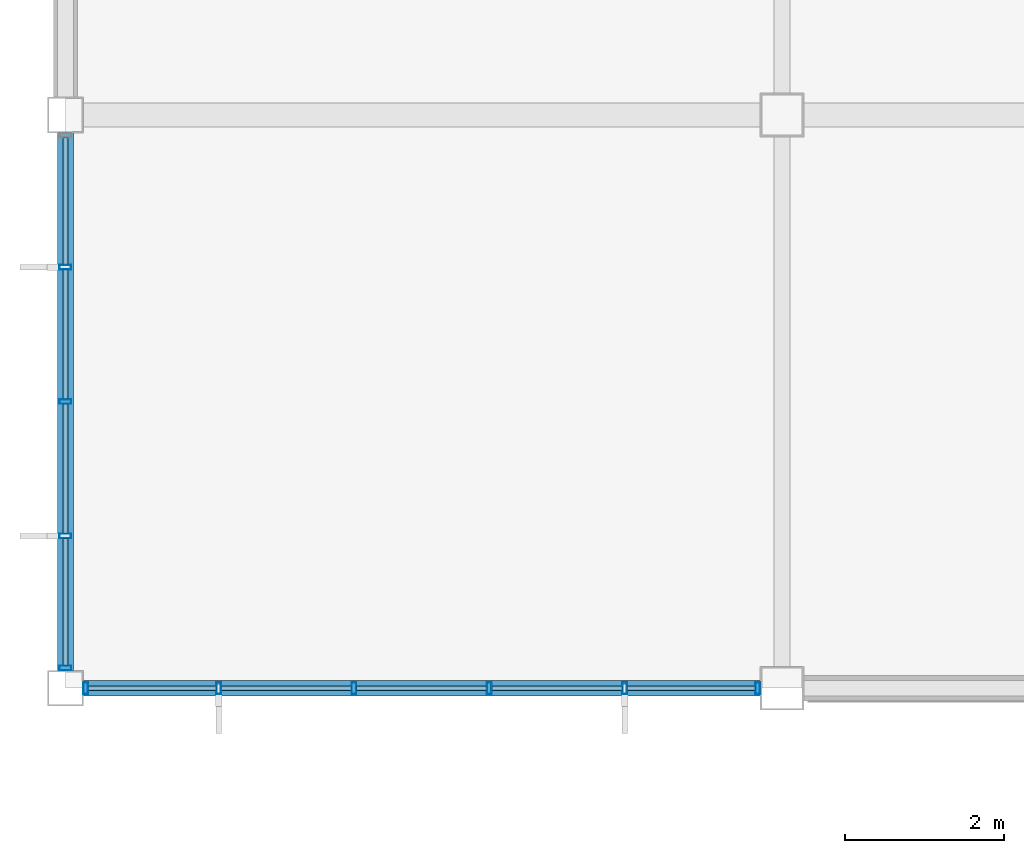
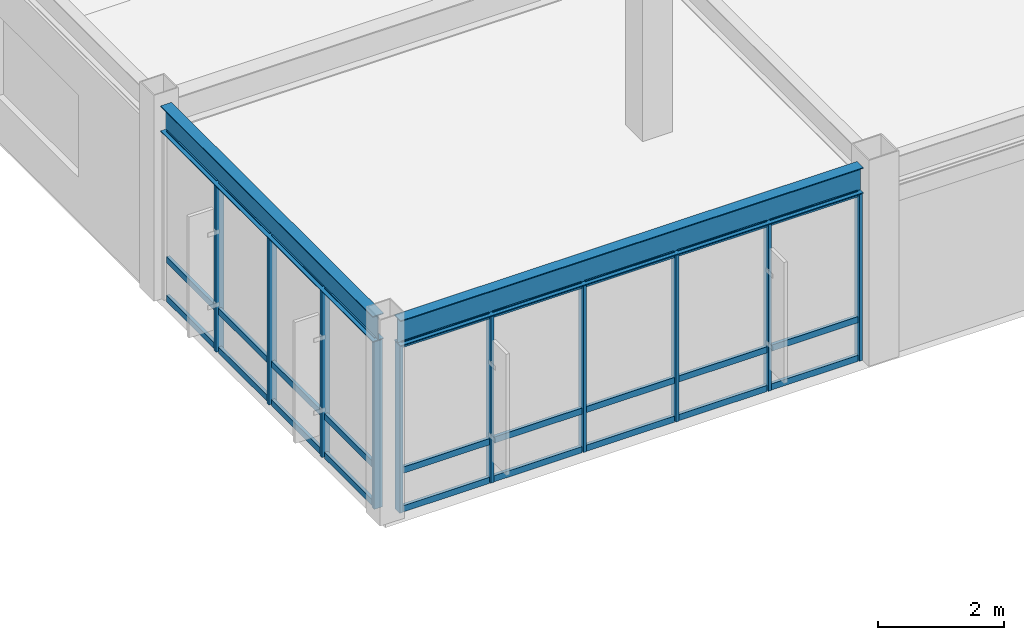
# One storey, part 25 of 122: 37 members, 2 beams, 2 elements without a shape of their own.
"""IFC4 building model written with IfcOpenShell, lengths in metres."""

import ifcopenshell
import ifcopenshell.guid

model = None  # the IFC model being written
_history = None  # IfcOwnerHistory: only IFC2X3 demands one
_inside = {}  # id of a spatial element -> (the spatial element, [elements in it])
_under = {}  # id of a project, library or spatial element -> (it, [spatial elements below it])
_declared = {}  # id of a project -> (the project, [libraries it declares])
_typed = {}  # id of a type object -> (the type object, [elements of that type])
_made_of = {}  # id of a material, layer set ... -> (it, [elements and type objects made of it])


def new_model(schema):
    """Start an empty IFC model of exactly this schema.

    Asked for "IFC4X3", IfcOpenShell would pick the latest addendum, in which some entities
    have other attributes; the version numbers below select the first issue.
    IFC2X3 requires an IfcOwnerHistory on every rooted entity: one is made here for all.
    """
    global model, _history
    if schema == "IFC4X3":
        model = ifcopenshell.file(schema_version=(4, 3, 0, 0))
    else:
        model = ifcopenshell.file(schema=schema)
    _inside.clear()
    _under.clear()
    _declared.clear()
    _typed.clear()
    _made_of.clear()
    _history = None
    if model.schema == "IFC2X3":
        org = make("IfcOrganization", Name="unknown")
        user = make(
            "IfcPersonAndOrganization",
            ThePerson=make("IfcPerson", FamilyName="unknown"),
            TheOrganization=org,
        )
        app = make(
            "IfcApplication",
            ApplicationDeveloper=org,
            Version="unknown",
            ApplicationFullName="unknown",
            ApplicationIdentifier="unknown",
        )
        _history = make(
            "IfcOwnerHistory",
            OwningUser=user,
            OwningApplication=app,
            ChangeAction="ADDED",
            CreationDate=0,
        )
    return model


def make(cls, **values):
    """One entity of the class cls with the attributes given. An attribute that is None is left unset."""
    return model.create_entity(
        cls, **{name: value for name, value in values.items() if value is not None}
    )


def rooted(cls, **values):
    """An entity with a GlobalId (a new one), such as an element, a storey or a relation."""
    return make(cls, GlobalId=ifcopenshell.guid.new(), OwnerHistory=_history, **values)


def si_unit(unit_type, name, prefix=None):
    """IfcSIUnit, for example si_unit("LENGTHUNIT", "METRE", prefix="MILLI")."""
    return make("IfcSIUnit", UnitType=unit_type, Prefix=prefix, Name=name)


def assignment(units):
    """IfcUnitAssignment: the units of a project."""
    return None if units is None else make("IfcUnitAssignment", Units=units)


def point(xyz):
    """IfcCartesianPoint."""
    return None if xyz is None else make("IfcCartesianPoint", Coordinates=xyz)


def direction(xyz):
    """IfcDirection."""
    return None if xyz is None else make("IfcDirection", DirectionRatios=xyz)


def frame(location, z_axis=None, x_axis=None):
    """IfcAxis2Placement3D, a coordinate frame: its origin and axes. An axis left out is left unset."""
    return make(
        "IfcAxis2Placement3D",
        Location=point(location),
        Axis=direction(z_axis),
        RefDirection=direction(x_axis),
    )


def frame_2d(location, x_axis=None):
    """IfcAxis2Placement2D, a coordinate frame in the plane: its origin and x axis."""
    return make(
        "IfcAxis2Placement2D", Location=point(location), RefDirection=direction(x_axis)
    )


def origin():
    """The frame at (0, 0, 0) with its axes left unset."""
    return frame((0.0, 0.0, 0.0))


def origin_2d():
    """The frame at (0, 0) in the plane with its x axis left unset."""
    return frame_2d((0.0, 0.0))


def place(relative_to, where):
    """IfcLocalPlacement: puts the frame where relative to a parent placement (None: the world)."""
    return make(
        "IfcLocalPlacement", PlacementRelTo=relative_to, RelativePlacement=where
    )


def context(
    kind, dimensions, precision=None, world=None, true_north=None, identifier=None
):
    """IfcGeometricRepresentationContext, for example the 3D "Model" context."""
    return make(
        "IfcGeometricRepresentationContext",
        ContextIdentifier=identifier,
        ContextType=kind,
        CoordinateSpaceDimension=dimensions,
        Precision=precision,
        WorldCoordinateSystem=world,
        TrueNorth=true_north,
    )


def subcontext(parent, identifier, kind, view, scale=None):
    """IfcGeometricRepresentationSubContext, for example "Body" below "Model"."""
    return make(
        "IfcGeometricRepresentationSubContext",
        ContextIdentifier=identifier,
        ContextType=kind,
        ParentContext=parent,
        TargetScale=scale,
        TargetView=view,
    )


def project(units=None, contexts=None):
    """IfcProject with its units and contexts."""
    return rooted(
        "IfcProject",
        Name="project",
        RepresentationContexts=contexts,
        UnitsInContext=assignment(units),
    )


def spatial(cls, under=None, at=None, **own):
    """A site, building, storey or space (cls), placed at a placement, below another one or the project."""
    s = rooted(cls, ObjectPlacement=at, **own)
    if under is not None:
        _under.setdefault(under.id(), (under, []))[1].append(s)
    return s


def profile(cls, at=None, kind="AREA", **sizes):
    """A parametric profile (cls). Its sizes go by their IFC names, for example OverallWidth=200.0."""
    return make(cls, ProfileType=kind, Position=at, **sizes)


def hollow_rectangle(**sizes):
    """IfcRectangleHollowProfileDef."""
    return profile("IfcRectangleHollowProfileDef", **sizes)


def i_section(**sizes):
    """IfcIShapeProfileDef."""
    return profile("IfcIShapeProfileDef", **sizes)


def extrude(swept, where, along, depth):
    """IfcExtrudedAreaSolid: the profile swept, set in the frame where, extruded along a direction by depth."""
    return make(
        "IfcExtrudedAreaSolid",
        SweptArea=swept,
        Position=where,
        ExtrudedDirection=direction(along),
        Depth=depth,
    )


def shape(context_of_items, identifier, shape_type, items):
    """IfcShapeRepresentation: the items that make up one representation, for example the "Body"."""
    return make(
        "IfcShapeRepresentation",
        ContextOfItems=context_of_items,
        RepresentationIdentifier=identifier,
        RepresentationType=shape_type,
        Items=items,
    )


def material(Name=None, Category=None):
    """IfcMaterial."""
    return make("IfcMaterial", Name=Name, Category=Category)


def material_profile(
    of_material, cross_section, Name=None, Category=None, Priority=None
):
    """IfcMaterialProfile: a cross section and its material."""
    return make(
        "IfcMaterialProfile",
        Name=Name,
        Material=of_material,
        Profile=cross_section,
        Priority=Priority,
        Category=Category,
    )


def profile_set(profiles, Name=None, composite=None):
    """IfcMaterialProfileSet."""
    return make(
        "IfcMaterialProfileSet",
        Name=Name,
        MaterialProfiles=profiles,
        CompositeProfile=composite,
    )


def made_of(thing, what):
    """Note that an element or type object is made of a material, layer set ...; save() writes the relation."""
    if what is not None:
        _made_of.setdefault(what.id(), (what, []))[1].append(thing)
    return thing


def type_object(cls, material=None, **own):
    """A type object (cls), such as IfcWallType, which elements share."""
    return made_of(rooted(cls, **own), material)


def element(
    cls,
    number,
    at=None,
    inside=None,
    cuts=None,
    type_object=None,
    material=None,
    context=None,
    identifier="Body",
    shape_type=None,
    held_by="IfcProductDefinitionShape",
    body=None,
    shapes=None,
    **own,
):
    """One element of the class cls, such as IfcWall. Its Tag is "e" and its number.

    at: its placement. inside: the storey or other place that contains it. cuts: it is an
    opening in that element (IfcRelVoidsElement). A single representation is given by context,
    identifier, shape_type and body (its items); several are given by shapes. held_by: the class
    of the entity that holds the representations. save() writes the other relations.
    """
    e = rooted(cls, Tag="e%d" % number, ObjectPlacement=at, **own)
    if body is not None:
        shapes = [shape(context, identifier, shape_type, body)]
    if shapes is not None:
        e.Representation = make(held_by, Representations=shapes)
    if inside is not None:
        _inside.setdefault(inside.id(), (inside, []))[1].append(e)
    if cuts is not None:
        rooted(
            "IfcRelVoidsElement", RelatingBuildingElement=cuts, RelatedOpeningElement=e
        )
    if type_object is not None:
        _typed.setdefault(type_object.id(), (type_object, []))[1].append(e)
    return made_of(e, material)


def aggregate(whole, parts):
    """IfcRelAggregates: a whole, such as a stair, and the parts it consists of."""
    return rooted("IfcRelAggregates", RelatingObject=whole, RelatedObjects=parts)


def save(model, path):
    """Write the relations noted so far, then the file.

    IfcRelAggregates (storeys below a building ...), IfcRelContainedInSpatialStructure (elements
    in a storey), IfcRelDefinesByType, IfcRelAssociatesMaterial and IfcRelDeclares: one each for
    every whole, place, type object, material and project.
    """
    for whole, parts in _under.values():
        aggregate(whole, parts)
    for where, things in _inside.values():
        rooted(
            "IfcRelContainedInSpatialStructure",
            RelatedElements=things,
            RelatingStructure=where,
        )
    for kind, things in _typed.values():
        rooted("IfcRelDefinesByType", RelatedObjects=things, RelatingType=kind)
    for what, things in _made_of.values():
        rooted("IfcRelAssociatesMaterial", RelatedObjects=things, RelatingMaterial=what)
    for by, libraries in _declared.values():
        rooted("IfcRelDeclares", RelatingContext=by, RelatedDefinitions=libraries)
    model.write(path)


model = new_model("IFC4")

# Units and contexts
model_context = context("Model", 3, precision=1e-05, world=origin(), true_north=direction((0.0, 1.0)))
body_context = subcontext(model_context, "Body", "Model", "MODEL_VIEW")
ifc_project = project(units=[si_unit("LENGTHUNIT", "METRE"), si_unit("AREAUNIT", "SQUARE_METRE"), si_unit("VOLUMEUNIT", "CUBIC_METRE"), si_unit("PLANEANGLEUNIT", "RADIAN"), si_unit("MASSUNIT", "GRAM", prefix="KILO")], contexts=[model_context])

# Site, building, storey
site_placement = place(None, origin())
site = spatial("IfcSite", under=ifc_project, at=site_placement, CompositionType="ELEMENT")
building_placement = place(site_placement, origin())
building = spatial("IfcBuilding", under=site, at=building_placement, Name="Kazanami Central Library", CompositionType="ELEMENT")
storey_placement = place(building_placement, frame((0.0, 0.0, 4.800048828125)))
storey = spatial("IfcBuildingStorey", under=building, at=storey_placement, Name="L02", CompositionType="ELEMENT", Elevation=4.800048828125)

# Beams
ifc_material_1 = material(Name="Steel SN490B (325 MPa)", Category="steel")
ifc_material_profile_1 = material_profile(ifc_material_1, i_section(OverallWidth=0.199951171875, OverallDepth=0.5, WebThickness=0.010009765625, FlangeThickness=0.01611328125, at=origin_2d()), Name="H-500x200x10x16")
ifc_profile_set_1 = profile_set([ifc_material_profile_1], Name="Steel SN490B (325 MPa)")
beam_type = type_object("IfcBeamType", Name="BM-SP-1", PredefinedType="SPANDREL", material=ifc_profile_set_1)
beam_1_placement = place(storey_placement, frame((0.222900390625, 57.60009765625, 3.5048828125), z_axis=(1.0, 0.0, 0.0), x_axis=(0.0, 1.0, 0.0)))
element("IfcBeam", 1, at=beam_1_placement, inside=storey, type_object=beam_type, Name="Girder SP-1 L02 J/1-2", PredefinedType="SPANDREL", context=body_context, shape_type="SweptSolid", body=[
    extrude(i_section(OverallWidth=0.199951171875, OverallDepth=0.5, WebThickness=0.010009765625, FlangeThickness=0.01611328125, at=origin_2d()), origin(), (0.0, 0.0, 1.0), 8.504150390625),
])
beam_2_placement = place(storey_placement, frame((0.0, 57.822998046875, 3.5048828125), z_axis=(0.0, 1.0, 0.0), x_axis=(-1.0, 0.0, 0.0)))
element("IfcBeam", 2, at=beam_2_placement, inside=storey, type_object=beam_type, Name="Girder SP-1 L02 1/J-K", PredefinedType="SPANDREL", context=body_context, shape_type="SweptSolid", body=[
    extrude(i_section(OverallWidth=0.199951171875, OverallDepth=0.5, WebThickness=0.010009765625, FlangeThickness=0.01611328125, at=origin_2d()), origin(), (0.0, 0.0, 1.0), 6.75390625),
])

# Curtain wall, members
ifc_material_2 = material(Name="Acid-Etched Low-E Laminated Glass", Category="glass")
curtain_wall_type_1 = type_object("IfcCurtainWallType", Name="CW-8500x3255-M180", PredefinedType="USERDEFINED", material=ifc_material_2)
curtain_wall_1_placement = place(storey_placement, origin())
curtain_wall_1 = element("IfcCurtainWall", 3, at=curtain_wall_1_placement, inside=storey, type_object=curtain_wall_type_1, Name="Unitised Curtain Wall CW-16 L02 S-J-00", ObjectType="UNITISED CURTAIN WALL", PredefinedType="USERDEFINED")
ifc_material_3 = material(Name="Anodised Aluminium A6063-T5", Category="aluminium")
ifc_material_profile_2 = material_profile(ifc_material_3, hollow_rectangle(XDim=0.06005859375, YDim=0.14990234375, WallThickness=0.00390625, at=origin_2d()), Name="ALU-MULL-60x150x4")
ifc_profile_set_2 = profile_set([ifc_material_profile_2], Name="Anodised Aluminium A6063-T5")
member_type_1 = type_object("IfcMemberType", Name="MEM-CW-M3", PredefinedType="MULLION", material=ifc_profile_set_2)
member_1_placement = place(storey_placement, frame((0.2548828125, 57.60009765625, 0.0), z_axis=(0.0, 0.0, 1.0), x_axis=(1.0, 0.0, 0.0)))
member_1 = element("IfcMember", 4, at=member_1_placement, type_object=member_type_1, Name="CW-16 mullion 1", PredefinedType="MULLION", context=body_context, shape_type="SweptSolid", body=[
    extrude(hollow_rectangle(XDim=0.06005859375, YDim=0.14990234375, WallThickness=0.00390625, at=origin_2d()), origin(), (0.0, 0.0, 1.0), 3.2548828125),
])
member_2_placement = place(storey_placement, frame((1.925048828125, 57.60009765625, 0.0), z_axis=(0.0, 0.0, 1.0), x_axis=(1.0, 0.0, 0.0)))
member_2 = element("IfcMember", 5, at=member_2_placement, type_object=member_type_1, Name="CW-16 mullion 2", PredefinedType="MULLION", context=body_context, shape_type="SweptSolid", body=[
    extrude(hollow_rectangle(XDim=0.06005859375, YDim=0.14990234375, WallThickness=0.00390625, at=origin_2d()), origin(), (0.0, 0.0, 1.0), 3.2548828125),
])
member_3_placement = place(storey_placement, frame((3.625, 57.60009765625, 0.0), z_axis=(0.0, 0.0, 1.0), x_axis=(1.0, 0.0, 0.0)))
member_3 = element("IfcMember", 6, at=member_3_placement, type_object=member_type_1, Name="CW-16 mullion 3", PredefinedType="MULLION", context=body_context, shape_type="SweptSolid", body=[
    extrude(hollow_rectangle(XDim=0.06005859375, YDim=0.14990234375, WallThickness=0.00390625, at=origin_2d()), origin(), (0.0, 0.0, 1.0), 3.2548828125),
])
member_4_placement = place(storey_placement, frame((5.324951171875, 57.60009765625, 0.0), z_axis=(0.0, 0.0, 1.0), x_axis=(1.0, 0.0, 0.0)))
member_4 = element("IfcMember", 7, at=member_4_placement, type_object=member_type_1, Name="CW-16 mullion 4", PredefinedType="MULLION", context=body_context, shape_type="SweptSolid", body=[
    extrude(hollow_rectangle(XDim=0.06005859375, YDim=0.14990234375, WallThickness=0.00390625, at=origin_2d()), origin(), (0.0, 0.0, 1.0), 3.2548828125),
])
member_5_placement = place(storey_placement, frame((7.02490234375, 57.60009765625, 0.0), z_axis=(0.0, 0.0, 1.0), x_axis=(1.0, 0.0, 0.0)))
member_5 = element("IfcMember", 8, at=member_5_placement, type_object=member_type_1, Name="CW-16 mullion 5", PredefinedType="MULLION", context=body_context, shape_type="SweptSolid", body=[
    extrude(hollow_rectangle(XDim=0.06005859375, YDim=0.14990234375, WallThickness=0.00390625, at=origin_2d()), origin(), (0.0, 0.0, 1.0), 3.2548828125),
])
member_6_placement = place(storey_placement, frame((8.695068359375, 57.60009765625, 0.0), z_axis=(0.0, 0.0, 1.0), x_axis=(1.0, 0.0, 0.0)))
member_6 = element("IfcMember", 9, at=member_6_placement, type_object=member_type_1, Name="CW-16 mullion 6", PredefinedType="MULLION", context=body_context, shape_type="SweptSolid", body=[
    extrude(hollow_rectangle(XDim=0.06005859375, YDim=0.14990234375, WallThickness=0.00390625, at=origin_2d()), origin(), (0.0, 0.0, 1.0), 3.2548828125),
])

curtain_wall_type_2 = type_object("IfcCurtainWallType", Name="CW-6750x3255-M180", PredefinedType="USERDEFINED", material=ifc_material_2)
curtain_wall_2_placement = place(storey_placement, origin())
curtain_wall_2 = element("IfcCurtainWall", 10, at=curtain_wall_2_placement, inside=storey, type_object=curtain_wall_type_2, Name="Unitised Curtain Wall CW-21 L02 W-1-08", ObjectType="UNITISED CURTAIN WALL", PredefinedType="USERDEFINED")
member_7_placement = place(storey_placement, frame((0.0, 57.85498046875, 0.0), z_axis=(0.0, 0.0, 1.0), x_axis=(0.0, 1.0, 0.0)))
member_7 = element("IfcMember", 11, at=member_7_placement, type_object=member_type_1, Name="CW-21 mullion 1", PredefinedType="MULLION", context=body_context, shape_type="SweptSolid", body=[
    extrude(hollow_rectangle(XDim=0.06005859375, YDim=0.14990234375, WallThickness=0.00390625, at=origin_2d()), origin(), (0.0, 0.0, 1.0), 3.2548828125),
])
member_8_placement = place(storey_placement, frame((0.0, 59.512451171875, 0.0), z_axis=(0.0, 0.0, 1.0), x_axis=(0.0, 1.0, 0.0)))
member_8 = element("IfcMember", 12, at=member_8_placement, type_object=member_type_1, Name="CW-21 mullion 2", PredefinedType="MULLION", context=body_context, shape_type="SweptSolid", body=[
    extrude(hollow_rectangle(XDim=0.06005859375, YDim=0.14990234375, WallThickness=0.00390625, at=origin_2d()), origin(), (0.0, 0.0, 1.0), 3.2548828125),
])
member_9_placement = place(storey_placement, frame((0.0, 61.199951171875, 0.0), z_axis=(0.0, 0.0, 1.0), x_axis=(0.0, 1.0, 0.0)))
member_9 = element("IfcMember", 13, at=member_9_placement, type_object=member_type_1, Name="CW-21 mullion 3", PredefinedType="MULLION", context=body_context, shape_type="SweptSolid", body=[
    extrude(hollow_rectangle(XDim=0.06005859375, YDim=0.14990234375, WallThickness=0.00390625, at=origin_2d()), origin(), (0.0, 0.0, 1.0), 3.2548828125),
])
member_10_placement = place(storey_placement, frame((0.0, 62.887451171875, 0.0), z_axis=(0.0, 0.0, 1.0), x_axis=(0.0, 1.0, 0.0)))
member_10 = element("IfcMember", 14, at=member_10_placement, type_object=member_type_1, Name="CW-21 mullion 4", PredefinedType="MULLION", context=body_context, shape_type="SweptSolid", body=[
    extrude(hollow_rectangle(XDim=0.06005859375, YDim=0.14990234375, WallThickness=0.00390625, at=origin_2d()), origin(), (0.0, 0.0, 1.0), 3.2548828125),
])

# Member
ifc_material_profile_3 = material_profile(ifc_material_3, hollow_rectangle(XDim=0.06005859375, YDim=0.1201171875, WallThickness=0.00341796875, at=origin_2d()), Name="ALU-TRAN-60x120x3.5")
ifc_profile_set_3 = profile_set([ifc_material_profile_3], Name="Anodised Aluminium A6063-T5")
member_type_2 = type_object("IfcMemberType", Name="MEM-CW-T3", PredefinedType="USERDEFINED", material=ifc_profile_set_3)
member_11_placement = place(storey_placement, frame((0.284912109375, 57.60009765625, 0.030029296875), z_axis=(1.0, 0.0, 0.0), x_axis=(0.0, 1.0, 0.0)))
member_11 = element("IfcMember", 15, at=member_11_placement, type_object=member_type_2, Name="CW-16 transom 1.1", ObjectType="TRANSOM", PredefinedType="USERDEFINED", context=body_context, shape_type="SweptSolid", body=[
    extrude(hollow_rectangle(XDim=0.06005859375, YDim=0.1201171875, WallThickness=0.00341796875, at=origin_2d()), origin(), (0.0, 0.0, 1.0), 1.610107421875),
])

member_12_placement = place(storey_placement, frame((0.284912109375, 57.60009765625, 0.780029296875), z_axis=(1.0, 0.0, 0.0), x_axis=(0.0, 1.0, 0.0)))
member_12 = element("IfcMember", 16, at=member_12_placement, type_object=member_type_2, Name="CW-16 transom 1.2", ObjectType="TRANSOM", PredefinedType="USERDEFINED", context=body_context, shape_type="SweptSolid", body=[
    extrude(hollow_rectangle(XDim=0.06005859375, YDim=0.1201171875, WallThickness=0.00341796875, at=origin_2d()), origin(), (0.0, 0.0, 1.0), 1.610107421875),
])

member_13_placement = place(storey_placement, frame((0.284912109375, 57.60009765625, 3.224853515625), z_axis=(1.0, 0.0, 0.0), x_axis=(0.0, 1.0, 0.0)))
member_13 = element("IfcMember", 17, at=member_13_placement, type_object=member_type_2, Name="CW-16 transom 1.3", ObjectType="TRANSOM", PredefinedType="USERDEFINED", context=body_context, shape_type="SweptSolid", body=[
    extrude(hollow_rectangle(XDim=0.06005859375, YDim=0.1201171875, WallThickness=0.00341796875, at=origin_2d()), origin(), (0.0, 0.0, 1.0), 1.610107421875),
])

member_14_placement = place(storey_placement, frame((1.955078125, 57.60009765625, 0.030029296875), z_axis=(1.0, 0.0, 0.0), x_axis=(0.0, 1.0, 0.0)))
member_14 = element("IfcMember", 18, at=member_14_placement, type_object=member_type_2, Name="CW-16 transom 2.1", ObjectType="TRANSOM", PredefinedType="USERDEFINED", context=body_context, shape_type="SweptSolid", body=[
    extrude(hollow_rectangle(XDim=0.06005859375, YDim=0.1201171875, WallThickness=0.00341796875, at=origin_2d()), origin(), (0.0, 0.0, 1.0), 1.639892578125),
])

member_15_placement = place(storey_placement, frame((1.955078125, 57.60009765625, 0.780029296875), z_axis=(1.0, 0.0, 0.0), x_axis=(0.0, 1.0, 0.0)))
member_15 = element("IfcMember", 19, at=member_15_placement, type_object=member_type_2, Name="CW-16 transom 2.2", ObjectType="TRANSOM", PredefinedType="USERDEFINED", context=body_context, shape_type="SweptSolid", body=[
    extrude(hollow_rectangle(XDim=0.06005859375, YDim=0.1201171875, WallThickness=0.00341796875, at=origin_2d()), origin(), (0.0, 0.0, 1.0), 1.639892578125),
])

member_16_placement = place(storey_placement, frame((1.955078125, 57.60009765625, 3.224853515625), z_axis=(1.0, 0.0, 0.0), x_axis=(0.0, 1.0, 0.0)))
member_16 = element("IfcMember", 20, at=member_16_placement, type_object=member_type_2, Name="CW-16 transom 2.3", ObjectType="TRANSOM", PredefinedType="USERDEFINED", context=body_context, shape_type="SweptSolid", body=[
    extrude(hollow_rectangle(XDim=0.06005859375, YDim=0.1201171875, WallThickness=0.00341796875, at=origin_2d()), origin(), (0.0, 0.0, 1.0), 1.639892578125),
])

member_17_placement = place(storey_placement, frame((3.655029296875, 57.60009765625, 0.030029296875), z_axis=(1.0, 0.0, 0.0), x_axis=(0.0, 1.0, 0.0)))
member_17 = element("IfcMember", 21, at=member_17_placement, type_object=member_type_2, Name="CW-16 transom 3.1", ObjectType="TRANSOM", PredefinedType="USERDEFINED", context=body_context, shape_type="SweptSolid", body=[
    extrude(hollow_rectangle(XDim=0.06005859375, YDim=0.1201171875, WallThickness=0.00341796875, at=origin_2d()), origin(), (0.0, 0.0, 1.0), 1.639892578125),
])

member_18_placement = place(storey_placement, frame((3.655029296875, 57.60009765625, 0.780029296875), z_axis=(1.0, 0.0, 0.0), x_axis=(0.0, 1.0, 0.0)))
member_18 = element("IfcMember", 22, at=member_18_placement, type_object=member_type_2, Name="CW-16 transom 3.2", ObjectType="TRANSOM", PredefinedType="USERDEFINED", context=body_context, shape_type="SweptSolid", body=[
    extrude(hollow_rectangle(XDim=0.06005859375, YDim=0.1201171875, WallThickness=0.00341796875, at=origin_2d()), origin(), (0.0, 0.0, 1.0), 1.639892578125),
])

member_19_placement = place(storey_placement, frame((3.655029296875, 57.60009765625, 3.224853515625), z_axis=(1.0, 0.0, 0.0), x_axis=(0.0, 1.0, 0.0)))
member_19 = element("IfcMember", 23, at=member_19_placement, type_object=member_type_2, Name="CW-16 transom 3.3", ObjectType="TRANSOM", PredefinedType="USERDEFINED", context=body_context, shape_type="SweptSolid", body=[
    extrude(hollow_rectangle(XDim=0.06005859375, YDim=0.1201171875, WallThickness=0.00341796875, at=origin_2d()), origin(), (0.0, 0.0, 1.0), 1.639892578125),
])

member_20_placement = place(storey_placement, frame((5.35498046875, 57.60009765625, 0.030029296875), z_axis=(1.0, 0.0, 0.0), x_axis=(0.0, 1.0, 0.0)))
member_20 = element("IfcMember", 24, at=member_20_placement, type_object=member_type_2, Name="CW-16 transom 4.1", ObjectType="TRANSOM", PredefinedType="USERDEFINED", context=body_context, shape_type="SweptSolid", body=[
    extrude(hollow_rectangle(XDim=0.06005859375, YDim=0.1201171875, WallThickness=0.00341796875, at=origin_2d()), origin(), (0.0, 0.0, 1.0), 1.64013671875),
])

member_21_placement = place(storey_placement, frame((5.35498046875, 57.60009765625, 0.780029296875), z_axis=(1.0, 0.0, 0.0), x_axis=(0.0, 1.0, 0.0)))
member_21 = element("IfcMember", 25, at=member_21_placement, type_object=member_type_2, Name="CW-16 transom 4.2", ObjectType="TRANSOM", PredefinedType="USERDEFINED", context=body_context, shape_type="SweptSolid", body=[
    extrude(hollow_rectangle(XDim=0.06005859375, YDim=0.1201171875, WallThickness=0.00341796875, at=origin_2d()), origin(), (0.0, 0.0, 1.0), 1.64013671875),
])

member_22_placement = place(storey_placement, frame((5.35498046875, 57.60009765625, 3.224853515625), z_axis=(1.0, 0.0, 0.0), x_axis=(0.0, 1.0, 0.0)))
member_22 = element("IfcMember", 26, at=member_22_placement, type_object=member_type_2, Name="CW-16 transom 4.3", ObjectType="TRANSOM", PredefinedType="USERDEFINED", context=body_context, shape_type="SweptSolid", body=[
    extrude(hollow_rectangle(XDim=0.06005859375, YDim=0.1201171875, WallThickness=0.00341796875, at=origin_2d()), origin(), (0.0, 0.0, 1.0), 1.64013671875),
])

member_23_placement = place(storey_placement, frame((7.054931640625, 57.60009765625, 0.030029296875), z_axis=(1.0, 0.0, 0.0), x_axis=(0.0, 1.0, 0.0)))
member_23 = element("IfcMember", 27, at=member_23_placement, type_object=member_type_2, Name="CW-16 transom 5.1", ObjectType="TRANSOM", PredefinedType="USERDEFINED", context=body_context, shape_type="SweptSolid", body=[
    extrude(hollow_rectangle(XDim=0.06005859375, YDim=0.1201171875, WallThickness=0.00341796875, at=origin_2d()), origin(), (0.0, 0.0, 1.0), 1.610107421875),
])

member_24_placement = place(storey_placement, frame((7.054931640625, 57.60009765625, 0.780029296875), z_axis=(1.0, 0.0, 0.0), x_axis=(0.0, 1.0, 0.0)))
member_24 = element("IfcMember", 28, at=member_24_placement, type_object=member_type_2, Name="CW-16 transom 5.2", ObjectType="TRANSOM", PredefinedType="USERDEFINED", context=body_context, shape_type="SweptSolid", body=[
    extrude(hollow_rectangle(XDim=0.06005859375, YDim=0.1201171875, WallThickness=0.00341796875, at=origin_2d()), origin(), (0.0, 0.0, 1.0), 1.610107421875),
])

member_25_placement = place(storey_placement, frame((7.054931640625, 57.60009765625, 3.224853515625), z_axis=(1.0, 0.0, 0.0), x_axis=(0.0, 1.0, 0.0)))
member_25 = element("IfcMember", 29, at=member_25_placement, type_object=member_type_2, Name="CW-16 transom 5.3", ObjectType="TRANSOM", PredefinedType="USERDEFINED", context=body_context, shape_type="SweptSolid", body=[
    extrude(hollow_rectangle(XDim=0.06005859375, YDim=0.1201171875, WallThickness=0.00341796875, at=origin_2d()), origin(), (0.0, 0.0, 1.0), 1.610107421875),
])

aggregate(curtain_wall_1, [member_1, member_2, member_3, member_4, member_5, member_6, member_11, member_12, member_13, member_14, member_15, member_16, member_17, member_18, member_19, member_20, member_21, member_22, member_23, member_24, member_25])

member_26_placement = place(storey_placement, frame((0.0, 57.885009765625, 0.030029296875), z_axis=(0.0, 1.0, 0.0), x_axis=(-1.0, 0.0, 0.0)))
member_26 = element("IfcMember", 30, at=member_26_placement, type_object=member_type_2, Name="CW-21 transom 1.1", ObjectType="TRANSOM", PredefinedType="USERDEFINED", context=body_context, shape_type="SweptSolid", body=[
    extrude(hollow_rectangle(XDim=0.06005859375, YDim=0.1201171875, WallThickness=0.00341796875, at=origin_2d()), origin(), (0.0, 0.0, 1.0), 1.597412109375),
])

member_27_placement = place(storey_placement, frame((0.0, 57.885009765625, 0.780029296875), z_axis=(0.0, 1.0, 0.0), x_axis=(-1.0, 0.0, 0.0)))
member_27 = element("IfcMember", 31, at=member_27_placement, type_object=member_type_2, Name="CW-21 transom 1.2", ObjectType="TRANSOM", PredefinedType="USERDEFINED", context=body_context, shape_type="SweptSolid", body=[
    extrude(hollow_rectangle(XDim=0.06005859375, YDim=0.1201171875, WallThickness=0.00341796875, at=origin_2d()), origin(), (0.0, 0.0, 1.0), 1.597412109375),
])

member_28_placement = place(storey_placement, frame((0.0, 57.885009765625, 3.224853515625), z_axis=(0.0, 1.0, 0.0), x_axis=(-1.0, 0.0, 0.0)))
member_28 = element("IfcMember", 32, at=member_28_placement, type_object=member_type_2, Name="CW-21 transom 1.3", ObjectType="TRANSOM", PredefinedType="USERDEFINED", context=body_context, shape_type="SweptSolid", body=[
    extrude(hollow_rectangle(XDim=0.06005859375, YDim=0.1201171875, WallThickness=0.00341796875, at=origin_2d()), origin(), (0.0, 0.0, 1.0), 1.597412109375),
])

member_29_placement = place(storey_placement, frame((0.0, 59.54248046875, 0.030029296875), z_axis=(0.0, 1.0, 0.0), x_axis=(-1.0, 0.0, 0.0)))
member_29 = element("IfcMember", 33, at=member_29_placement, type_object=member_type_2, Name="CW-21 transom 2.1", ObjectType="TRANSOM", PredefinedType="USERDEFINED", context=body_context, shape_type="SweptSolid", body=[
    extrude(hollow_rectangle(XDim=0.06005859375, YDim=0.1201171875, WallThickness=0.00341796875, at=origin_2d()), origin(), (0.0, 0.0, 1.0), 1.62744140625),
])

member_30_placement = place(storey_placement, frame((0.0, 59.54248046875, 0.780029296875), z_axis=(0.0, 1.0, 0.0), x_axis=(-1.0, 0.0, 0.0)))
member_30 = element("IfcMember", 34, at=member_30_placement, type_object=member_type_2, Name="CW-21 transom 2.2", ObjectType="TRANSOM", PredefinedType="USERDEFINED", context=body_context, shape_type="SweptSolid", body=[
    extrude(hollow_rectangle(XDim=0.06005859375, YDim=0.1201171875, WallThickness=0.00341796875, at=origin_2d()), origin(), (0.0, 0.0, 1.0), 1.62744140625),
])

member_31_placement = place(storey_placement, frame((0.0, 59.54248046875, 3.224853515625), z_axis=(0.0, 1.0, 0.0), x_axis=(-1.0, 0.0, 0.0)))
member_31 = element("IfcMember", 35, at=member_31_placement, type_object=member_type_2, Name="CW-21 transom 2.3", ObjectType="TRANSOM", PredefinedType="USERDEFINED", context=body_context, shape_type="SweptSolid", body=[
    extrude(hollow_rectangle(XDim=0.06005859375, YDim=0.1201171875, WallThickness=0.00341796875, at=origin_2d()), origin(), (0.0, 0.0, 1.0), 1.62744140625),
])

member_32_placement = place(storey_placement, frame((0.0, 61.22998046875, 0.030029296875), z_axis=(0.0, 1.0, 0.0), x_axis=(-1.0, 0.0, 0.0)))
member_32 = element("IfcMember", 36, at=member_32_placement, type_object=member_type_2, Name="CW-21 transom 3.1", ObjectType="TRANSOM", PredefinedType="USERDEFINED", context=body_context, shape_type="SweptSolid", body=[
    extrude(hollow_rectangle(XDim=0.06005859375, YDim=0.1201171875, WallThickness=0.00341796875, at=origin_2d()), origin(), (0.0, 0.0, 1.0), 1.62744140625),
])

member_33_placement = place(storey_placement, frame((0.0, 61.22998046875, 0.780029296875), z_axis=(0.0, 1.0, 0.0), x_axis=(-1.0, 0.0, 0.0)))
member_33 = element("IfcMember", 37, at=member_33_placement, type_object=member_type_2, Name="CW-21 transom 3.2", ObjectType="TRANSOM", PredefinedType="USERDEFINED", context=body_context, shape_type="SweptSolid", body=[
    extrude(hollow_rectangle(XDim=0.06005859375, YDim=0.1201171875, WallThickness=0.00341796875, at=origin_2d()), origin(), (0.0, 0.0, 1.0), 1.62744140625),
])

member_34_placement = place(storey_placement, frame((0.0, 61.22998046875, 3.224853515625), z_axis=(0.0, 1.0, 0.0), x_axis=(-1.0, 0.0, 0.0)))
member_34 = element("IfcMember", 38, at=member_34_placement, type_object=member_type_2, Name="CW-21 transom 3.3", ObjectType="TRANSOM", PredefinedType="USERDEFINED", context=body_context, shape_type="SweptSolid", body=[
    extrude(hollow_rectangle(XDim=0.06005859375, YDim=0.1201171875, WallThickness=0.00341796875, at=origin_2d()), origin(), (0.0, 0.0, 1.0), 1.62744140625),
])

member_35_placement = place(storey_placement, frame((0.0, 62.91748046875, 0.030029296875), z_axis=(0.0, 1.0, 0.0), x_axis=(-1.0, 0.0, 0.0)))
member_35 = element("IfcMember", 39, at=member_35_placement, type_object=member_type_2, Name="CW-21 transom 4.1", ObjectType="TRANSOM", PredefinedType="USERDEFINED", context=body_context, shape_type="SweptSolid", body=[
    extrude(hollow_rectangle(XDim=0.06005859375, YDim=0.1201171875, WallThickness=0.00341796875, at=origin_2d()), origin(), (0.0, 0.0, 1.0), 1.597412109375),
])

member_36_placement = place(storey_placement, frame((0.0, 62.91748046875, 0.780029296875), z_axis=(0.0, 1.0, 0.0), x_axis=(-1.0, 0.0, 0.0)))
member_36 = element("IfcMember", 40, at=member_36_placement, type_object=member_type_2, Name="CW-21 transom 4.2", ObjectType="TRANSOM", PredefinedType="USERDEFINED", context=body_context, shape_type="SweptSolid", body=[
    extrude(hollow_rectangle(XDim=0.06005859375, YDim=0.1201171875, WallThickness=0.00341796875, at=origin_2d()), origin(), (0.0, 0.0, 1.0), 1.597412109375),
])

member_37_placement = place(storey_placement, frame((0.0, 62.91748046875, 3.224853515625), z_axis=(0.0, 1.0, 0.0), x_axis=(-1.0, 0.0, 0.0)))
member_37 = element("IfcMember", 41, at=member_37_placement, type_object=member_type_2, Name="CW-21 transom 4.3", ObjectType="TRANSOM", PredefinedType="USERDEFINED", context=body_context, shape_type="SweptSolid", body=[
    extrude(hollow_rectangle(XDim=0.06005859375, YDim=0.1201171875, WallThickness=0.00341796875, at=origin_2d()), origin(), (0.0, 0.0, 1.0), 1.597412109375),
])

aggregate(curtain_wall_2, [member_7, member_8, member_9, member_10, member_26, member_27, member_28, member_29, member_30, member_31, member_32, member_33, member_34, member_35, member_36, member_37])

save(model, "model.ifc")
